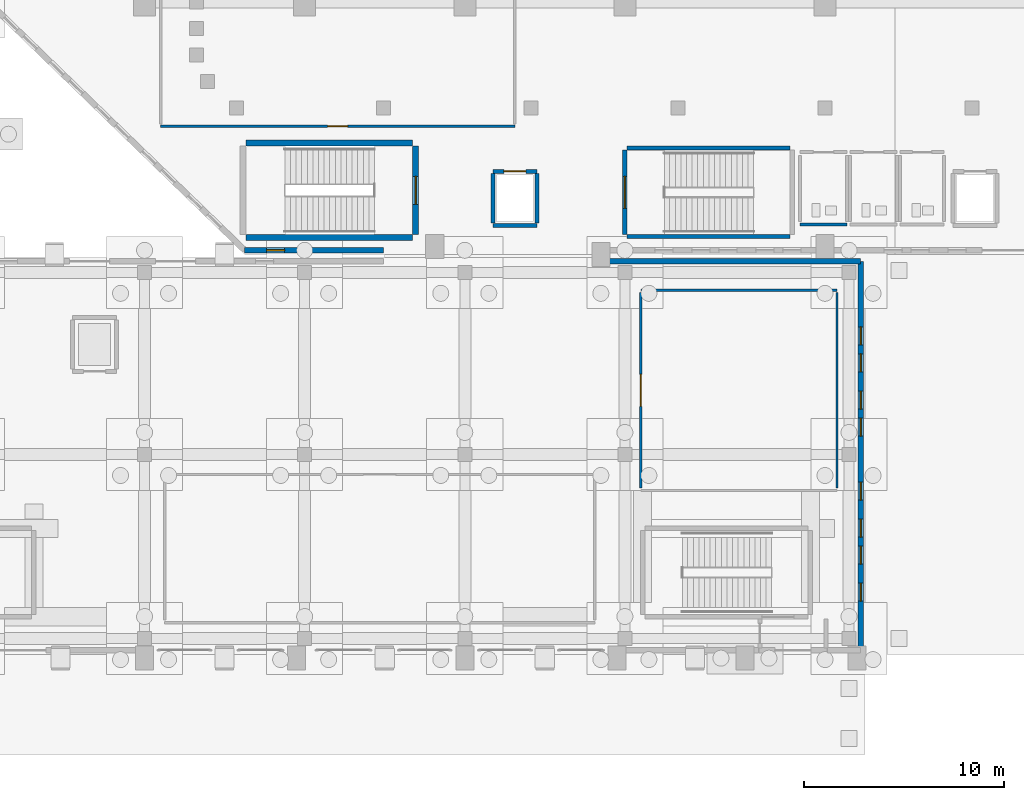
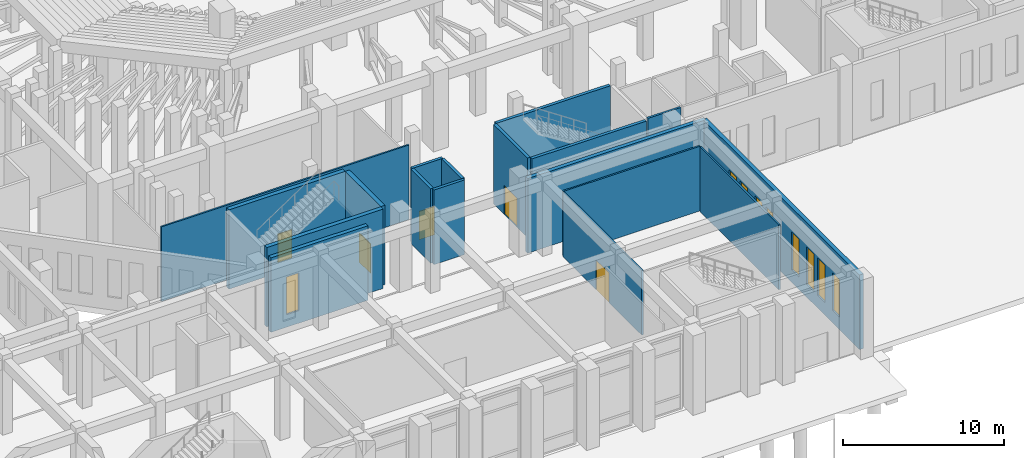
# One storey, part 105 of 143: 18 walls, 9 windows, 5 doors, 14 openings.
"""IFC4 building model written with IfcOpenShell, lengths in metres."""

import ifcopenshell
import ifcopenshell.guid

model = None  # the IFC model being written
_history = None  # IfcOwnerHistory: only IFC2X3 demands one
_inside = {}  # id of a spatial element -> (the spatial element, [elements in it])
_under = {}  # id of a project, library or spatial element -> (it, [spatial elements below it])
_declared = {}  # id of a project -> (the project, [libraries it declares])
_typed = {}  # id of a type object -> (the type object, [elements of that type])
_made_of = {}  # id of a material, layer set ... -> (it, [elements and type objects made of it])


def new_model(schema):
    """Start an empty IFC model of exactly this schema.

    Asked for "IFC4X3", IfcOpenShell would pick the latest addendum, in which some entities
    have other attributes; the version numbers below select the first issue.
    IFC2X3 requires an IfcOwnerHistory on every rooted entity: one is made here for all.
    """
    global model, _history
    if schema == "IFC4X3":
        model = ifcopenshell.file(schema_version=(4, 3, 0, 0))
    else:
        model = ifcopenshell.file(schema=schema)
    _inside.clear()
    _under.clear()
    _declared.clear()
    _typed.clear()
    _made_of.clear()
    _history = None
    if model.schema == "IFC2X3":
        org = make("IfcOrganization", Name="unknown")
        user = make(
            "IfcPersonAndOrganization",
            ThePerson=make("IfcPerson", FamilyName="unknown"),
            TheOrganization=org,
        )
        app = make(
            "IfcApplication",
            ApplicationDeveloper=org,
            Version="unknown",
            ApplicationFullName="unknown",
            ApplicationIdentifier="unknown",
        )
        _history = make(
            "IfcOwnerHistory",
            OwningUser=user,
            OwningApplication=app,
            ChangeAction="ADDED",
            CreationDate=0,
        )
    return model


def make(cls, **values):
    """One entity of the class cls with the attributes given. An attribute that is None is left unset."""
    return model.create_entity(
        cls, **{name: value for name, value in values.items() if value is not None}
    )


def rooted(cls, **values):
    """An entity with a GlobalId (a new one), such as an element, a storey or a relation."""
    return make(cls, GlobalId=ifcopenshell.guid.new(), OwnerHistory=_history, **values)


def si_unit(unit_type, name, prefix=None):
    """IfcSIUnit, for example si_unit("LENGTHUNIT", "METRE", prefix="MILLI")."""
    return make("IfcSIUnit", UnitType=unit_type, Prefix=prefix, Name=name)


def derived_unit(unit_type, elements):
    """IfcDerivedUnit: a product of units, each with its exponent."""
    return make(
        "IfcDerivedUnit",
        Elements=[
            make("IfcDerivedUnitElement", Unit=unit, Exponent=power)
            for unit, power in elements
        ],
        UnitType=unit_type,
    )


def assignment(units):
    """IfcUnitAssignment: the units of a project."""
    return None if units is None else make("IfcUnitAssignment", Units=units)


def point(xyz):
    """IfcCartesianPoint."""
    return None if xyz is None else make("IfcCartesianPoint", Coordinates=xyz)


def direction(xyz):
    """IfcDirection."""
    return None if xyz is None else make("IfcDirection", DirectionRatios=xyz)


def frame(location, z_axis=None, x_axis=None):
    """IfcAxis2Placement3D, a coordinate frame: its origin and axes. An axis left out is left unset."""
    return make(
        "IfcAxis2Placement3D",
        Location=point(location),
        Axis=direction(z_axis),
        RefDirection=direction(x_axis),
    )


def frame_2d(location, x_axis=None):
    """IfcAxis2Placement2D, a coordinate frame in the plane: its origin and x axis."""
    return make(
        "IfcAxis2Placement2D", Location=point(location), RefDirection=direction(x_axis)
    )


def origin():
    """The frame at (0, 0, 0) with its axes left unset."""
    return frame((0.0, 0.0, 0.0))


def place(relative_to, where):
    """IfcLocalPlacement: puts the frame where relative to a parent placement (None: the world)."""
    return make(
        "IfcLocalPlacement", PlacementRelTo=relative_to, RelativePlacement=where
    )


def context(
    kind, dimensions, precision=None, world=None, true_north=None, identifier=None
):
    """IfcGeometricRepresentationContext, for example the 3D "Model" context."""
    return make(
        "IfcGeometricRepresentationContext",
        ContextIdentifier=identifier,
        ContextType=kind,
        CoordinateSpaceDimension=dimensions,
        Precision=precision,
        WorldCoordinateSystem=world,
        TrueNorth=true_north,
    )


def subcontext(parent, identifier, kind, view, scale=None):
    """IfcGeometricRepresentationSubContext, for example "Body" below "Model"."""
    return make(
        "IfcGeometricRepresentationSubContext",
        ContextIdentifier=identifier,
        ContextType=kind,
        ParentContext=parent,
        TargetScale=scale,
        TargetView=view,
    )


def project(units=None, contexts=None):
    """IfcProject with its units and contexts."""
    return rooted(
        "IfcProject",
        Name="project",
        RepresentationContexts=contexts,
        UnitsInContext=assignment(units),
    )


def spatial(cls, under=None, at=None, **own):
    """A site, building, storey or space (cls), placed at a placement, below another one or the project."""
    s = rooted(cls, ObjectPlacement=at, **own)
    if under is not None:
        _under.setdefault(under.id(), (under, []))[1].append(s)
    return s


def profile(cls, at=None, kind="AREA", **sizes):
    """A parametric profile (cls). Its sizes go by their IFC names, for example OverallWidth=200.0."""
    return make(cls, ProfileType=kind, Position=at, **sizes)


def rectangle(**sizes):
    """IfcRectangleProfileDef."""
    return profile("IfcRectangleProfileDef", **sizes)


def extrude(swept, where, along, depth):
    """IfcExtrudedAreaSolid: the profile swept, set in the frame where, extruded along a direction by depth."""
    return make(
        "IfcExtrudedAreaSolid",
        SweptArea=swept,
        Position=where,
        ExtrudedDirection=direction(along),
        Depth=depth,
    )


def shape(context_of_items, identifier, shape_type, items):
    """IfcShapeRepresentation: the items that make up one representation, for example the "Body"."""
    return make(
        "IfcShapeRepresentation",
        ContextOfItems=context_of_items,
        RepresentationIdentifier=identifier,
        RepresentationType=shape_type,
        Items=items,
    )


def material(Name=None, Category=None):
    """IfcMaterial."""
    return make("IfcMaterial", Name=Name, Category=Category)


def layer(
    of_material, thickness, ventilated=None, Name=None, Category=None, Priority=None
):
    """IfcMaterialLayer: one layer of a wall or slab, of a material (None: an air gap)."""
    return make(
        "IfcMaterialLayer",
        Material=of_material,
        LayerThickness=thickness,
        IsVentilated=ventilated,
        Name=Name,
        Category=Category,
        Priority=Priority,
    )


def layer_set(layers, Name=None):
    """IfcMaterialLayerSet."""
    return make("IfcMaterialLayerSet", MaterialLayers=layers, LayerSetName=Name)


def made_of(thing, what):
    """Note that an element or type object is made of a material, layer set ...; save() writes the relation."""
    if what is not None:
        _made_of.setdefault(what.id(), (what, []))[1].append(thing)
    return thing


def type_object(cls, material=None, **own):
    """A type object (cls), such as IfcWallType, which elements share."""
    return made_of(rooted(cls, **own), material)


def element(
    cls,
    number,
    at=None,
    inside=None,
    cuts=None,
    type_object=None,
    material=None,
    context=None,
    identifier="Body",
    shape_type=None,
    held_by="IfcProductDefinitionShape",
    body=None,
    shapes=None,
    **own,
):
    """One element of the class cls, such as IfcWall. Its Tag is "e" and its number.

    at: its placement. inside: the storey or other place that contains it. cuts: it is an
    opening in that element (IfcRelVoidsElement). A single representation is given by context,
    identifier, shape_type and body (its items); several are given by shapes. held_by: the class
    of the entity that holds the representations. save() writes the other relations.
    """
    e = rooted(cls, Tag="e%d" % number, ObjectPlacement=at, **own)
    if body is not None:
        shapes = [shape(context, identifier, shape_type, body)]
    if shapes is not None:
        e.Representation = make(held_by, Representations=shapes)
    if inside is not None:
        _inside.setdefault(inside.id(), (inside, []))[1].append(e)
    if cuts is not None:
        rooted(
            "IfcRelVoidsElement", RelatingBuildingElement=cuts, RelatedOpeningElement=e
        )
    if type_object is not None:
        _typed.setdefault(type_object.id(), (type_object, []))[1].append(e)
    return made_of(e, material)


def fill(opening, filler):
    """IfcRelFillsElement: the door or window that sits in an opening."""
    return rooted(
        "IfcRelFillsElement",
        RelatingOpeningElement=opening,
        RelatedBuildingElement=filler,
    )


def aggregate(whole, parts):
    """IfcRelAggregates: a whole, such as a stair, and the parts it consists of."""
    return rooted("IfcRelAggregates", RelatingObject=whole, RelatedObjects=parts)


def save(model, path):
    """Write the relations noted so far, then the file.

    IfcRelAggregates (storeys below a building ...), IfcRelContainedInSpatialStructure (elements
    in a storey), IfcRelDefinesByType, IfcRelAssociatesMaterial and IfcRelDeclares: one each for
    every whole, place, type object, material and project.
    """
    for whole, parts in _under.values():
        aggregate(whole, parts)
    for where, things in _inside.values():
        rooted(
            "IfcRelContainedInSpatialStructure",
            RelatedElements=things,
            RelatingStructure=where,
        )
    for kind, things in _typed.values():
        rooted("IfcRelDefinesByType", RelatedObjects=things, RelatingType=kind)
    for what, things in _made_of.values():
        rooted("IfcRelAssociatesMaterial", RelatedObjects=things, RelatingMaterial=what)
    for by, libraries in _declared.values():
        rooted("IfcRelDeclares", RelatingContext=by, RelatedDefinitions=libraries)
    model.write(path)


model = new_model("IFC4")

# Units and contexts
model_context = context("Model", 3, precision=1e-05, world=origin(), true_north=direction((0.0, 1.0)))
body_context = subcontext(model_context, "Body", "Model", "MODEL_VIEW")
ifc_project = project(units=[si_unit("LENGTHUNIT", "METRE"), si_unit("AREAUNIT", "SQUARE_METRE"), si_unit("VOLUMEUNIT", "CUBIC_METRE"), si_unit("PLANEANGLEUNIT", "RADIAN"), si_unit("MASSUNIT", "GRAM", prefix="KILO"), derived_unit("THERMALTRANSMITTANCEUNIT", [(si_unit("MASSUNIT", "GRAM", prefix="KILO"), 1), (si_unit("TIMEUNIT", "SECOND"), -3), (si_unit("THERMODYNAMICTEMPERATUREUNIT", "KELVIN"), -1)])], contexts=[model_context])

# Site, building, storey
site_placement = place(None, origin())
site = spatial("IfcSite", under=ifc_project, at=site_placement, CompositionType="ELEMENT")
building_placement = place(site_placement, origin())
building = spatial("IfcBuilding", under=site, at=building_placement, Name="Valcora Ridge Arena", CompositionType="ELEMENT")
storey_placement = place(building_placement, origin())
storey = spatial("IfcBuildingStorey", under=building, at=storey_placement, Name="L00", CompositionType="ELEMENT", Elevation=0.0)

# Wall, opening, window
ifc_material_1 = material(Name="Bush-hammered Andean travertine on concrete backup C40/50", Category="masonry")
ifc_layer_1 = layer(ifc_material_1, 0.280029296875, Name="Bush-hammered Andean travertine on concrete backup C40/50")
ifc_layer_set_1 = layer_set([ifc_layer_1], Name="Bush-hammered Andean travertine on concrete backup C40/50")
wall_type_1 = type_object("IfcWallType", Name="TY-WALL-EW-TRV-28-56", PredefinedType="STANDARD", material=ifc_layer_set_1)
wall_1_placement = place(storey_placement, frame((29.0, 20.199951171875, 0.0), z_axis=(0.0, 0.0, 1.0), x_axis=(1.0, 0.0, 0.0)))
wall_1 = element("IfcWall", 1, at=wall_1_placement, inside=storey, type_object=wall_type_1, Name="EW-TRV-28-56 WAL-EW-0029", PredefinedType="STANDARD", context=body_context, shape_type="SweptSolid", body=[
    extrude(rectangle(XDim=6.949951171875, YDim=0.280029296875, at=frame_2d((3.47509765625, 0.0))), origin(), (0.0, 0.0, 1.0), 5.639892578125),
])
opening_1_placement = place(wall_1_placement, frame((1.10009765625, 0.0, 0.949951171875)))
opening_1 = element("IfcOpeningElement", 2, at=opening_1_placement, cuts=wall_1, Name="Opening W-GLAN-90X285", PredefinedType="OPENING", context=body_context, shape_type="SweptSolid", body=[
    extrude(rectangle(XDim=0.89990234375, YDim=2.85009765625, at=frame_2d((0.449951171875, 1.425048828125))), frame((0.0, 0.14990234375, 0.0), z_axis=(0.0, -1.0, 0.0), x_axis=(1.0, 0.0, 0.0)), (0.0, 0.0, 1.0), 0.300048828125),
])
ifc_material_2 = material(Name="Low-iron solar-control double glazing SHGC 0.28", Category="glass")
window_type = type_object("IfcWindowType", Name="TY-WINDOW-W-GLAN-90X285", PartitioningType="DOUBLE_PANEL_VERTICAL", PredefinedType="WINDOW", material=ifc_material_2)
window_1_placement = place(opening_1_placement, origin())
window_1 = element("IfcWindow", 3, at=window_1_placement, inside=storey, type_object=window_type, Name="W-GLAN-90X285 WIN-EX-0050", OverallHeight=2.85009765625, OverallWidth=0.89990234375, PartitioningType="DOUBLE_PANEL_VERTICAL", PredefinedType="WINDOW", context=body_context, shape_type="SweptSolid", body=[
    extrude(rectangle(XDim=0.89990234375, YDim=2.85009765625, at=frame_2d((0.449951171875, 1.425048828125))), frame((0.0, 0.030029296875, 0.0), z_axis=(0.0, -1.0, 0.0), x_axis=(1.0, 0.0, 0.0)), (0.0, 0.0, 1.0), 0.06005859375),
])
fill(opening_1, window_1)

# Wall, openings, windows
wall_2_placement = place(storey_placement, frame((59.780029296875, 0.219970703125, 0.0), z_axis=(0.0, 0.0, 1.0), x_axis=(0.0, 1.0, 0.0)))
wall_2 = element("IfcWall", 4, at=wall_2_placement, inside=storey, type_object=wall_type_1, Name="EW-TRV-28-56 WAL-EW-0070", PredefinedType="STANDARD", context=body_context, shape_type="SweptSolid", body=[
    extrude(rectangle(XDim=19.429931640625, YDim=0.280029296875, at=frame_2d((9.71484375, 0.0))), origin(), (0.0, 0.0, 1.0), 5.639892578125),
])
opening_2_placement = place(wall_2_placement, frame((2.449951171875, 0.0, 0.949951171875)))
opening_2 = element("IfcOpeningElement", 5, at=opening_2_placement, cuts=wall_2, Name="Opening W-GLAN-90X285", PredefinedType="OPENING", context=body_context, shape_type="SweptSolid", body=[
    extrude(rectangle(XDim=0.89990234375, YDim=2.85009765625, at=frame_2d((0.449951171875, 1.425048828125))), frame((0.0, 0.14990234375, 0.0), z_axis=(0.0, -1.0, 0.0), x_axis=(1.0, 0.0, 0.0)), (0.0, 0.0, 1.0), 0.300048828125),
])
opening_3_placement = place(wall_2_placement, frame((4.300048828125, 0.0, 0.949951171875)))
opening_3 = element("IfcOpeningElement", 6, at=opening_3_placement, cuts=wall_2, Name="Opening W-GLAN-90X285", PredefinedType="OPENING", context=body_context, shape_type="SweptSolid", body=[
    extrude(rectangle(XDim=0.89990234375, YDim=2.85009765625, at=frame_2d((0.449951171875, 1.425048828125))), frame((0.0, 0.14990234375, 0.0), z_axis=(0.0, -1.0, 0.0), x_axis=(1.0, 0.0, 0.0)), (0.0, 0.0, 1.0), 0.300048828125),
])
opening_4_placement = place(wall_2_placement, frame((5.64990234375, 0.0, 0.949951171875)))
opening_4 = element("IfcOpeningElement", 7, at=opening_4_placement, cuts=wall_2, Name="Opening W-GLAN-90X285", PredefinedType="OPENING", context=body_context, shape_type="SweptSolid", body=[
    extrude(rectangle(XDim=0.89990234375, YDim=2.85009765625, at=frame_2d((0.449951171875, 1.425048828125))), frame((0.0, 0.14990234375, 0.0), z_axis=(0.0, -1.0, 0.0), x_axis=(1.0, 0.0, 0.0)), (0.0, 0.0, 1.0), 0.300048828125),
])
opening_5_placement = place(wall_2_placement, frame((7.5, 0.0, 0.949951171875)))
opening_5 = element("IfcOpeningElement", 8, at=opening_5_placement, cuts=wall_2, Name="Opening W-GLAN-90X285", PredefinedType="OPENING", context=body_context, shape_type="SweptSolid", body=[
    extrude(rectangle(XDim=0.89990234375, YDim=2.85009765625, at=frame_2d((0.449951171875, 1.425048828125))), frame((0.0, 0.14990234375, 0.0), z_axis=(0.0, -1.0, 0.0), x_axis=(1.0, 0.0, 0.0)), (0.0, 0.0, 1.0), 0.300048828125),
])
opening_6_placement = place(wall_2_placement, frame((10.699951171875, 0.0, 0.949951171875)))
opening_6 = element("IfcOpeningElement", 9, at=opening_6_placement, cuts=wall_2, Name="Opening W-GLAN-90X285", PredefinedType="OPENING", context=body_context, shape_type="SweptSolid", body=[
    extrude(rectangle(XDim=0.89990234375, YDim=2.85009765625, at=frame_2d((0.449951171875, 1.425048828125))), frame((0.0, 0.14990234375, 0.0), z_axis=(0.0, -1.0, 0.0), x_axis=(1.0, 0.0, 0.0)), (0.0, 0.0, 1.0), 0.300048828125),
])
opening_7_placement = place(wall_2_placement, frame((12.050048828125, 0.0, 0.949951171875)))
opening_7 = element("IfcOpeningElement", 10, at=opening_7_placement, cuts=wall_2, Name="Opening W-GLAN-90X285", PredefinedType="OPENING", context=body_context, shape_type="SweptSolid", body=[
    extrude(rectangle(XDim=0.89990234375, YDim=2.85009765625, at=frame_2d((0.449951171875, 1.425048828125))), frame((0.0, 0.14990234375, 0.0), z_axis=(0.0, -1.0, 0.0), x_axis=(1.0, 0.0, 0.0)), (0.0, 0.0, 1.0), 0.300048828125),
])
opening_8_placement = place(wall_2_placement, frame((13.89990234375, 0.0, 0.949951171875)))
opening_8 = element("IfcOpeningElement", 11, at=opening_8_placement, cuts=wall_2, Name="Opening W-GLAN-90X285", PredefinedType="OPENING", context=body_context, shape_type="SweptSolid", body=[
    extrude(rectangle(XDim=0.89990234375, YDim=2.85009765625, at=frame_2d((0.449951171875, 1.425048828125))), frame((0.0, 0.14990234375, 0.0), z_axis=(0.0, -1.0, 0.0), x_axis=(1.0, 0.0, 0.0)), (0.0, 0.0, 1.0), 0.300048828125),
])
opening_9_placement = place(wall_2_placement, frame((15.25, 0.0, 0.949951171875)))
opening_9 = element("IfcOpeningElement", 12, at=opening_9_placement, cuts=wall_2, Name="Opening W-GLAN-90X285", PredefinedType="OPENING", context=body_context, shape_type="SweptSolid", body=[
    extrude(rectangle(XDim=0.89990234375, YDim=2.85009765625, at=frame_2d((0.449951171875, 1.425048828125))), frame((0.0, 0.14990234375, 0.0), z_axis=(0.0, -1.0, 0.0), x_axis=(1.0, 0.0, 0.0)), (0.0, 0.0, 1.0), 0.300048828125),
])
window_2_placement = place(opening_2_placement, origin())
window_2 = element("IfcWindow", 13, at=window_2_placement, inside=storey, type_object=window_type, Name="W-GLAN-90X285 WIN-EX-0178", OverallHeight=2.85009765625, OverallWidth=0.89990234375, PartitioningType="DOUBLE_PANEL_VERTICAL", PredefinedType="WINDOW", context=body_context, shape_type="SweptSolid", body=[
    extrude(rectangle(XDim=0.89990234375, YDim=2.85009765625, at=frame_2d((0.449951171875, 1.425048828125))), frame((0.0, 0.030029296875, 0.0), z_axis=(0.0, -1.0, 0.0), x_axis=(1.0, 0.0, 0.0)), (0.0, 0.0, 1.0), 0.06005859375),
])
fill(opening_2, window_2)
window_3_placement = place(opening_3_placement, origin())
window_3 = element("IfcWindow", 14, at=window_3_placement, inside=storey, type_object=window_type, Name="W-GLAN-90X285 WIN-EX-0179", OverallHeight=2.85009765625, OverallWidth=0.89990234375, PartitioningType="DOUBLE_PANEL_VERTICAL", PredefinedType="WINDOW", context=body_context, shape_type="SweptSolid", body=[
    extrude(rectangle(XDim=0.89990234375, YDim=2.85009765625, at=frame_2d((0.449951171875, 1.425048828125))), frame((0.0, 0.030029296875, 0.0), z_axis=(0.0, -1.0, 0.0), x_axis=(1.0, 0.0, 0.0)), (0.0, 0.0, 1.0), 0.06005859375),
])
fill(opening_3, window_3)
window_4_placement = place(opening_4_placement, origin())
window_4 = element("IfcWindow", 15, at=window_4_placement, inside=storey, type_object=window_type, Name="W-GLAN-90X285 WIN-EX-0180", OverallHeight=2.85009765625, OverallWidth=0.89990234375, PartitioningType="DOUBLE_PANEL_VERTICAL", PredefinedType="WINDOW", context=body_context, shape_type="SweptSolid", body=[
    extrude(rectangle(XDim=0.89990234375, YDim=2.85009765625, at=frame_2d((0.449951171875, 1.425048828125))), frame((0.0, 0.030029296875, 0.0), z_axis=(0.0, -1.0, 0.0), x_axis=(1.0, 0.0, 0.0)), (0.0, 0.0, 1.0), 0.06005859375),
])
fill(opening_4, window_4)
window_5_placement = place(opening_5_placement, origin())
window_5 = element("IfcWindow", 16, at=window_5_placement, inside=storey, type_object=window_type, Name="W-GLAN-90X285 WIN-EX-0181", OverallHeight=2.85009765625, OverallWidth=0.89990234375, PartitioningType="DOUBLE_PANEL_VERTICAL", PredefinedType="WINDOW", context=body_context, shape_type="SweptSolid", body=[
    extrude(rectangle(XDim=0.89990234375, YDim=2.85009765625, at=frame_2d((0.449951171875, 1.425048828125))), frame((0.0, 0.030029296875, 0.0), z_axis=(0.0, -1.0, 0.0), x_axis=(1.0, 0.0, 0.0)), (0.0, 0.0, 1.0), 0.06005859375),
])
fill(opening_5, window_5)
window_6_placement = place(opening_6_placement, origin())
window_6 = element("IfcWindow", 17, at=window_6_placement, inside=storey, type_object=window_type, Name="W-GLAN-90X285 WIN-EX-0182", OverallHeight=2.85009765625, OverallWidth=0.89990234375, PartitioningType="DOUBLE_PANEL_VERTICAL", PredefinedType="WINDOW", context=body_context, shape_type="SweptSolid", body=[
    extrude(rectangle(XDim=0.89990234375, YDim=2.85009765625, at=frame_2d((0.449951171875, 1.425048828125))), frame((0.0, 0.030029296875, 0.0), z_axis=(0.0, -1.0, 0.0), x_axis=(1.0, 0.0, 0.0)), (0.0, 0.0, 1.0), 0.06005859375),
])
fill(opening_6, window_6)
window_7_placement = place(opening_7_placement, origin())
window_7 = element("IfcWindow", 18, at=window_7_placement, inside=storey, type_object=window_type, Name="W-GLAN-90X285 WIN-EX-0183", OverallHeight=2.85009765625, OverallWidth=0.89990234375, PartitioningType="DOUBLE_PANEL_VERTICAL", PredefinedType="WINDOW", context=body_context, shape_type="SweptSolid", body=[
    extrude(rectangle(XDim=0.89990234375, YDim=2.85009765625, at=frame_2d((0.449951171875, 1.425048828125))), frame((0.0, 0.030029296875, 0.0), z_axis=(0.0, -1.0, 0.0), x_axis=(1.0, 0.0, 0.0)), (0.0, 0.0, 1.0), 0.06005859375),
])
fill(opening_7, window_7)
window_8_placement = place(opening_8_placement, origin())
window_8 = element("IfcWindow", 19, at=window_8_placement, inside=storey, type_object=window_type, Name="W-GLAN-90X285 WIN-EX-0184", OverallHeight=2.85009765625, OverallWidth=0.89990234375, PartitioningType="DOUBLE_PANEL_VERTICAL", PredefinedType="WINDOW", context=body_context, shape_type="SweptSolid", body=[
    extrude(rectangle(XDim=0.89990234375, YDim=2.85009765625, at=frame_2d((0.449951171875, 1.425048828125))), frame((0.0, 0.030029296875, 0.0), z_axis=(0.0, -1.0, 0.0), x_axis=(1.0, 0.0, 0.0)), (0.0, 0.0, 1.0), 0.06005859375),
])
fill(opening_8, window_8)
window_9_placement = place(opening_9_placement, origin())
window_9 = element("IfcWindow", 20, at=window_9_placement, inside=storey, type_object=window_type, Name="W-GLAN-90X285 WIN-EX-0185", OverallHeight=2.85009765625, OverallWidth=0.89990234375, PartitioningType="DOUBLE_PANEL_VERTICAL", PredefinedType="WINDOW", context=body_context, shape_type="SweptSolid", body=[
    extrude(rectangle(XDim=0.89990234375, YDim=2.85009765625, at=frame_2d((0.449951171875, 1.425048828125))), frame((0.0, 0.030029296875, 0.0), z_axis=(0.0, -1.0, 0.0), x_axis=(1.0, 0.0, 0.0)), (0.0, 0.0, 1.0), 0.06005859375),
])
fill(opening_9, window_9)

# Walls
wall_3_placement = place(storey_placement, frame((47.050048828125, 19.64990234375, 0.0), z_axis=(0.0, 0.0, 1.0), x_axis=(1.0, 0.0, 0.0)))
element("IfcWall", 21, at=wall_3_placement, inside=storey, type_object=wall_type_1, Name="EW-TRV-28-56 WAL-EW-0072", PredefinedType="STANDARD", context=body_context, shape_type="SweptSolid", body=[
    extrude(rectangle(XDim=12.72998046875, YDim=0.280029296875, at=frame_2d((6.364990234375, 0.0))), origin(), (0.0, 0.0, 1.0), 5.639892578125),
])
ifc_material_3 = material(Name="Fire-rated masonry-core compartment wall C35/45 150 mm", Category="masonry")
ifc_layer_2 = layer(ifc_material_3, 0.14990234375, Name="Fire-rated masonry-core compartment wall C35/45 150 mm")
ifc_layer_set_2 = layer_set([ifc_layer_2], Name="Fire-rated masonry-core compartment wall C35/45 150 mm")
wall_type_2 = type_object("IfcWallType", Name="TY-WALL-IW-COMP-150", PredefinedType="STANDARD", material=ifc_layer_set_2)
wall_4_placement = place(storey_placement, frame((56.75, 21.5, 0.0), z_axis=(0.0, 0.0, 1.0), x_axis=(1.0, 0.0, 0.0)))
element("IfcWall", 22, at=wall_4_placement, inside=storey, type_object=wall_type_2, Name="IW-COMP-150 WAL-IN-0059", PredefinedType="STANDARD", context=body_context, shape_type="SweptSolid", body=[
    extrude(rectangle(XDim=2.35009765625, YDim=0.14990234375, at=frame_2d((1.175048828125, 0.0))), origin(), (0.0, 0.0, 1.0), 5.639892578125),
])

# Wall, opening, door
ifc_material_4 = material(Name="Acoustic metal-stud gypsum partition 120 mm")
ifc_layer_3 = layer(ifc_material_4, 0.1201171875, Name="Acoustic metal-stud gypsum partition 120 mm")
ifc_layer_set_3 = layer_set([ifc_layer_3], Name="Acoustic metal-stud gypsum partition 120 mm")
wall_type_3 = type_object("IfcWallType", Name="TY-WALL-IW-PART-120", PredefinedType="PARTITIONING", material=ifc_layer_set_3)
wall_5_placement = place(storey_placement, frame((24.800048828125, 26.39990234375, 0.0), z_axis=(0.0, 0.0, 1.0), x_axis=(1.0, 0.0, 0.0)))
wall_5 = element("IfcWall", 23, at=wall_5_placement, inside=storey, type_object=wall_type_3, Name="IW-PART-120 WAL-IN-0223", PredefinedType="PARTITIONING", context=body_context, shape_type="SweptSolid", body=[
    extrude(rectangle(XDim=17.699951171875, YDim=0.1201171875, at=frame_2d((8.85009765625, 0.0))), origin(), (0.0, 0.0, 1.0), 5.639892578125),
])
opening_10_placement = place(wall_5_placement, frame((8.35009765625, 0.0, 0.0)))
opening_10 = element("IfcOpeningElement", 24, at=opening_10_placement, cuts=wall_5, Name="Opening D-INT-1000", PredefinedType="OPENING", context=body_context, shape_type="SweptSolid", body=[
    extrude(rectangle(XDim=1.0, YDim=2.14990234375, at=frame_2d((0.5, 1.074951171875))), frame((0.0, 0.070068359375, 0.0), z_axis=(0.0, -1.0, 0.0), x_axis=(1.0, 0.0, 0.0)), (0.0, 0.0, 1.0), 0.14013671875),
])
ifc_material_5 = material(Name="Solid-core acoustic timber veneer door leaf", Category="wood")
door_type_1 = type_object("IfcDoorType", Name="TY-DOOR-D-INT-1000", OperationType="NOTDEFINED", PredefinedType="DOOR", material=ifc_material_5)
door_1_placement = place(opening_10_placement, origin())
door_1 = element("IfcDoor", 25, at=door_1_placement, inside=storey, type_object=door_type_1, Name="D-INT-1000 DOR-IN-0060", OperationType="SINGLE_SWING_LEFT", OverallHeight=2.14990234375, OverallWidth=1.0, PredefinedType="DOOR", context=body_context, shape_type="SweptSolid", body=[
    extrude(rectangle(XDim=1.0, YDim=2.14990234375, at=frame_2d((0.5, 1.074951171875))), frame((0.0, 0.02490234375, 0.0), z_axis=(0.0, -1.0, 0.0), x_axis=(1.0, 0.0, 0.0)), (0.0, 0.0, 1.0), 0.050048828125),
])
fill(opening_10, door_1)

# Wall
wall_6_placement = place(storey_placement, frame((48.800048828125, 18.199951171875, 0.0), z_axis=(0.0, 0.0, 1.0), x_axis=(1.0, 0.0, 0.0)))
element("IfcWall", 26, at=wall_6_placement, inside=storey, type_object=wall_type_3, Name="IW-PART-120 WAL-IN-0262", PredefinedType="PARTITIONING", context=body_context, shape_type="SweptSolid", body=[
    extrude(rectangle(XDim=9.800048828125, YDim=0.1201171875, at=frame_2d((4.89990234375, 0.0))), origin(), (0.0, 0.0, 1.0), 4.889892578125),
])

# Wall, opening, door
wall_7_placement = place(storey_placement, frame((48.800048828125, 8.320068359375, 0.0), z_axis=(0.0, 0.0, 1.0), x_axis=(0.0, 1.0, 0.0)))
wall_7 = element("IfcWall", 27, at=wall_7_placement, inside=storey, type_object=wall_type_3, Name="IW-PART-120 WAL-IN-0263", PredefinedType="PARTITIONING", context=body_context, shape_type="SweptSolid", body=[
    extrude(rectangle(XDim=9.760009765625, YDim=0.1201171875, at=frame_2d((4.8798828125, 0.0))), origin(), (0.0, 0.0, 1.0), 4.889892578125),
])
opening_11_placement = place(wall_7_placement, frame((4.080078125, 0.0, 0.0)))
opening_11 = element("IfcOpeningElement", 28, at=opening_11_placement, cuts=wall_7, Name="Opening D-PUB-1600", PredefinedType="OPENING", context=body_context, shape_type="SweptSolid", body=[
    extrude(rectangle(XDim=1.60009765625, YDim=2.25, at=frame_2d((0.800048828125, 1.125))), frame((0.0, 0.070068359375, 0.0), z_axis=(0.0, -1.0, 0.0), x_axis=(1.0, 0.0, 0.0)), (0.0, 0.0, 1.0), 0.14013671875),
])
door_type_2 = type_object("IfcDoorType", Name="TY-DOOR-D-PUB-1600", OperationType="NOTDEFINED", PredefinedType="DOOR", material=ifc_material_5)
door_2_placement = place(opening_11_placement, origin())
door_2 = element("IfcDoor", 29, at=door_2_placement, inside=storey, type_object=door_type_2, Name="D-PUB-1600 DOR-IN-0070", OperationType="DOUBLE_DOOR_SINGLE_SWING", OverallHeight=2.25, OverallWidth=1.60009765625, PredefinedType="DOOR", context=body_context, shape_type="SweptSolid", body=[
    extrude(rectangle(XDim=1.60009765625, YDim=2.25, at=frame_2d((0.800048828125, 1.125))), frame((0.0, 0.02490234375, 0.0), z_axis=(0.0, -1.0, 0.0), x_axis=(1.0, 0.0, 0.0)), (0.0, 0.0, 1.0), 0.050048828125),
])
fill(opening_11, door_2)

# Walls
wall_8_placement = place(storey_placement, frame((58.60009765625, 8.320068359375, 0.0), z_axis=(0.0, 0.0, 1.0), x_axis=(0.0, 1.0, 0.0)))
element("IfcWall", 30, at=wall_8_placement, inside=storey, type_object=wall_type_3, Name="IW-PART-120 WAL-IN-0264", PredefinedType="PARTITIONING", context=body_context, shape_type="SweptSolid", body=[
    extrude(rectangle(XDim=9.760009765625, YDim=0.1201171875, at=frame_2d((4.8798828125, 0.0))), origin(), (0.0, 0.0, 1.0), 4.889892578125),
])
ifc_material_6 = material(Name="Concrete C40/50", Category="concrete")
ifc_layer_4 = layer(ifc_material_6, 0.199951171875, Name="Concrete C40/50")
ifc_layer_set_4 = layer_set([ifc_layer_4], Name="Concrete C40/50")
wall_type_4 = type_object("IfcWallType", Name="TY-WALL-IW-SHF-200", PredefinedType="STANDARD", material=ifc_layer_set_4)
wall_9_placement = place(storey_placement, frame((41.39990234375, 21.449951171875, 0.0), z_axis=(0.0, 0.0, 1.0), x_axis=(1.0, 0.0, 0.0)))
element("IfcWall", 31, at=wall_9_placement, inside=storey, type_object=wall_type_4, Name="IW-SHF-200 WAL-SH-0061", PredefinedType="STANDARD", context=body_context, shape_type="SweptSolid", body=[
    extrude(rectangle(XDim=2.2001953125, YDim=0.199951171875, at=frame_2d((1.10009765625, 0.0))), origin(), (0.0, 0.0, 1.0), 5.639892578125),
])

# Wall, opening, door
wall_10_placement = place(storey_placement, frame((41.39990234375, 24.14990234375, 0.0), z_axis=(0.0, 0.0, 1.0), x_axis=(1.0, 0.0, 0.0)))
wall_10 = element("IfcWall", 32, at=wall_10_placement, inside=storey, type_object=wall_type_4, Name="IW-SHF-200 WAL-SH-0062", PredefinedType="STANDARD", context=body_context, shape_type="SweptSolid", body=[
    extrude(rectangle(XDim=2.2001953125, YDim=0.199951171875, at=frame_2d((1.10009765625, 0.0))), origin(), (0.0, 0.0, 1.0), 5.639892578125),
])
opening_12_placement = place(wall_10_placement, frame((0.550048828125, 0.0, 0.0)))
opening_12 = element("IfcOpeningElement", 33, at=opening_12_placement, cuts=wall_10, Name="Opening LD-PAX", PredefinedType="OPENING", context=body_context, shape_type="SweptSolid", body=[
    extrude(rectangle(XDim=1.10009765625, YDim=2.14990234375, at=frame_2d((0.550048828125, 1.074951171875))), frame((0.0, 0.10986328125, 0.0), z_axis=(0.0, -1.0, 0.0), x_axis=(1.0, 0.0, 0.0)), (0.0, 0.0, 1.0), 0.219970703125),
])
ifc_material_7 = material(Name="Insulated fire-rated hollow metal steel", Category="steel")
door_type_3 = type_object("IfcDoorType", Name="TY-DOOR-LD-PAX", OperationType="NOTDEFINED", PredefinedType="DOOR", material=ifc_material_7)
door_3_placement = place(opening_12_placement, origin())
door_3 = element("IfcDoor", 34, at=door_3_placement, inside=storey, type_object=door_type_3, Name="PL1 Landing Door L00", OperationType="SLIDING_TO_LEFT", OverallHeight=2.14990234375, OverallWidth=1.10009765625, PredefinedType="DOOR", context=body_context, shape_type="SweptSolid", body=[
    extrude(rectangle(XDim=1.10009765625, YDim=2.14990234375, at=frame_2d((0.550048828125, 1.074951171875))), frame((0.0, 0.02490234375, 0.0), z_axis=(0.0, -1.0, 0.0), x_axis=(1.0, 0.0, 0.0)), (0.0, 0.0, 1.0), 0.050048828125),
])
fill(opening_12, door_3)

# Walls
for number, where, z_axis, x_axis, name in (
    (35, (41.39990234375, 21.570068359375, 0.0), (0.0, 0.0, 1.0), (0.0, 1.0, 0.0), "IW-SHF-200 WAL-SH-0063"),
    (36, (43.60009765625, 21.570068359375, 0.0), (0.0, 0.0, 1.0), (0.0, 1.0, 0.0), "IW-SHF-200 WAL-SH-0064"),
):
    element("IfcWall", number, at=place(storey_placement, frame(where, z_axis=z_axis, x_axis=x_axis)), inside=storey, type_object=wall_type_4, Name=name, PredefinedType="STANDARD", context=body_context, shape_type="SweptSolid", body=[
        extrude(rectangle(XDim=2.4599609375, YDim=0.199951171875, at=frame_2d((1.22998046875, 0.0))), origin(), (0.0, 0.0, 1.0), 5.639892578125),
    ])
ifc_material_8 = material(Name="Concrete C45/55", Category="concrete")
ifc_layer_5 = layer(ifc_material_8, 0.300048828125, Name="Concrete C45/55")
ifc_layer_set_5 = layer_set([ifc_layer_5], Name="Concrete C45/55")
wall_type_5 = type_object("IfcWallType", Name="TY-WALL-SW-C300-L", PredefinedType="SHEAR", material=ifc_layer_set_5)
for number, where, z_axis, x_axis, name in (
    (37, (29.080078125, 20.85009765625, 0.0), (0.0, 0.0, 1.0), (1.0, 0.0, 0.0), "SW-C300-L WAL-CR-0005"),
    (38, (29.080078125, 25.550048828125, 0.0), (0.0, 0.0, 1.0), (1.0, 0.0, 0.0), "SW-C300-L WAL-CR-0006"),
):
    element("IfcWall", number, at=place(storey_placement, frame(where, z_axis=z_axis, x_axis=x_axis)), inside=storey, type_object=wall_type_5, Name=name, PredefinedType="SHEAR", context=body_context, shape_type="SweptSolid", body=[
        extrude(rectangle(XDim=8.31982421875, YDim=0.300048828125, at=frame_2d((4.159912109375, 0.0))), origin(), (0.0, 0.0, 1.0), 6.0),
    ])

# Wall, opening, door
ifc_layer_6 = layer(ifc_material_8, 0.300048828125, Name="Concrete C45/55")
ifc_layer_set_6 = layer_set([ifc_layer_6], Name="Concrete C45/55")
wall_type_6 = type_object("IfcWallType", Name="TY-WALL-SW-C300-S", PredefinedType="SHEAR", material=ifc_layer_set_6)
wall_11_placement = place(storey_placement, frame((37.550048828125, 21.0, 0.0), z_axis=(0.0, 0.0, 1.0), x_axis=(0.0, 1.0, 0.0)))
wall_11 = element("IfcWall", 39, at=wall_11_placement, inside=storey, type_object=wall_type_6, Name="SW-C300-S WAL-CR-0008", PredefinedType="SHEAR", context=body_context, shape_type="SweptSolid", body=[
    extrude(rectangle(XDim=4.39990234375, YDim=0.300048828125, at=frame_2d((2.199951171875, 0.0))), origin(), (0.0, 0.0, 1.0), 6.0),
])
opening_13_placement = place(wall_11_placement, frame((1.5, 0.0, 0.0)))
opening_13 = element("IfcOpeningElement", 40, at=opening_13_placement, cuts=wall_11, Name="Opening FD-01", PredefinedType="OPENING", context=body_context, shape_type="SweptSolid", body=[
    extrude(rectangle(XDim=1.39990234375, YDim=2.199951171875, at=frame_2d((0.699951171875, 1.10009765625))), frame((0.0, 0.159912109375, 0.0), z_axis=(0.0, -1.0, 0.0), x_axis=(1.0, 0.0, 0.0)), (0.0, 0.0, 1.0), 0.320068359375),
])
ifc_material_9 = material(Name="Insulated fire-rated steel door leaf", Category="steel")
door_type_4 = type_object("IfcDoorType", Name="TY-DOOR-FD-01", OperationType="NOTDEFINED", PredefinedType="DOOR", material=ifc_material_9)
door_4_placement = place(opening_13_placement, origin())
door_4 = element("IfcDoor", 41, at=door_4_placement, inside=storey, type_object=door_type_4, Name="FD-01 DOR-ST-0002", OperationType="DOUBLE_DOOR_SINGLE_SWING", OverallHeight=2.199951171875, OverallWidth=1.39990234375, PredefinedType="DOOR", context=body_context, shape_type="SweptSolid", body=[
    extrude(rectangle(XDim=1.39990234375, YDim=2.199951171875, at=frame_2d((0.699951171875, 1.10009765625))), frame((0.0, 0.02490234375, 0.0), z_axis=(0.0, -1.0, 0.0), x_axis=(1.0, 0.0, 0.0)), (0.0, 0.0, 1.0), 0.050048828125),
])
fill(opening_13, door_4)

# Walls
ifc_material_10 = material(Name="Fire-resisting reinforced concrete enclosure C40/50 200 mm", Category="concrete")
ifc_layer_7 = layer(ifc_material_10, 0.219970703125, Name="Fire-resisting reinforced concrete enclosure C40/50 200 mm")
ifc_layer_set_7 = layer_set([ifc_layer_7], Name="Fire-resisting reinforced concrete enclosure C40/50 200 mm")
wall_type_7 = type_object("IfcWallType", Name="TY-WALL-SW-ES-220", PredefinedType="SHEAR", material=ifc_layer_set_7)
for number, where, z_axis, x_axis, name in (
    (42, (48.10009765625, 20.889892578125, 0.0), (0.0, 0.0, 1.0), (1.0, 0.0, 0.0), "SW-ES-220 WAL-ES-0005"),
    (43, (48.10009765625, 25.31005859375, 0.0), (0.0, 0.0, 1.0), (1.0, 0.0, 0.0), "SW-ES-220 WAL-ES-0006"),
):
    element("IfcWall", number, at=place(storey_placement, frame(where, z_axis=z_axis, x_axis=x_axis)), inside=storey, type_object=wall_type_7, Name=name, PredefinedType="SHEAR", context=body_context, shape_type="SweptSolid", body=[
        extrude(rectangle(XDim=8.159912109375, YDim=0.219970703125, at=frame_2d((4.080078125, 0.0))), origin(), (0.0, 0.0, 1.0), 6.0),
    ])

# Wall, opening, door
wall_12_placement = place(storey_placement, frame((47.989990234375, 21.0, 0.0), z_axis=(0.0, 0.0, 1.0), x_axis=(0.0, 1.0, 0.0)))
wall_12 = element("IfcWall", 44, at=wall_12_placement, inside=storey, type_object=wall_type_7, Name="SW-ES-220 WAL-ES-0007", PredefinedType="SHEAR", context=body_context, shape_type="SweptSolid", body=[
    extrude(rectangle(XDim=4.199951171875, YDim=0.219970703125, at=frame_2d((2.10009765625, 0.0))), origin(), (0.0, 0.0, 1.0), 6.0),
])
opening_14_placement = place(wall_12_placement, frame((1.300048828125, 0.0, 0.0)))
opening_14 = element("IfcOpeningElement", 45, at=opening_14_placement, cuts=wall_12, Name="Opening FD-02", PredefinedType="OPENING", context=body_context, shape_type="SweptSolid", body=[
    extrude(rectangle(XDim=1.60009765625, YDim=2.199951171875, at=frame_2d((0.800048828125, 1.10009765625))), frame((0.0, 0.119873046875, 0.0), z_axis=(0.0, -1.0, 0.0), x_axis=(1.0, 0.0, 0.0)), (0.0, 0.0, 1.0), 0.239990234375),
])
door_type_5 = type_object("IfcDoorType", Name="TY-DOOR-FD-02", OperationType="NOTDEFINED", PredefinedType="DOOR", material=ifc_material_9)
door_5_placement = place(opening_14_placement, origin())
door_5 = element("IfcDoor", 46, at=door_5_placement, inside=storey, type_object=door_type_5, Name="FD-02 DOR-ES-0001", OperationType="DOUBLE_DOOR_SINGLE_SWING", OverallHeight=2.199951171875, OverallWidth=1.60009765625, PredefinedType="DOOR", context=body_context, shape_type="SweptSolid", body=[
    extrude(rectangle(XDim=1.60009765625, YDim=2.199951171875, at=frame_2d((0.800048828125, 1.10009765625))), frame((0.0, 0.02490234375, 0.0), z_axis=(0.0, -1.0, 0.0), x_axis=(1.0, 0.0, 0.0)), (0.0, 0.0, 1.0), 0.050048828125),
])
fill(opening_14, door_5)

save(model, "model.ifc")
